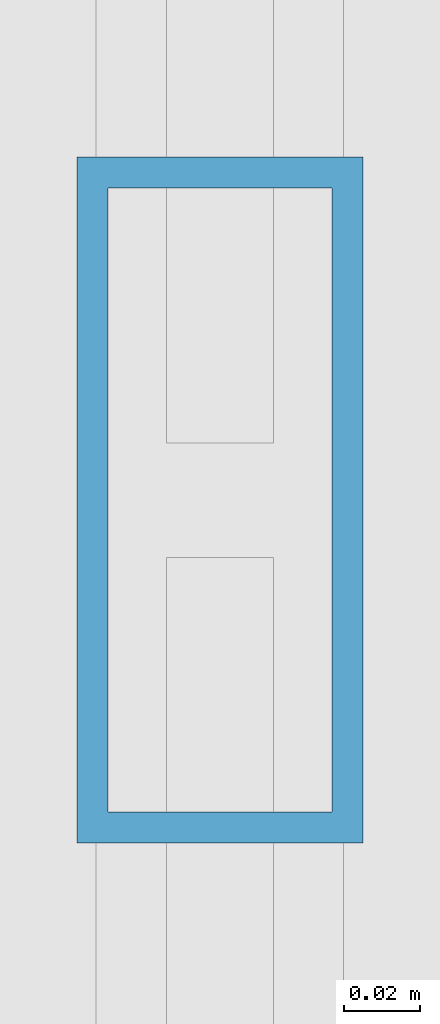
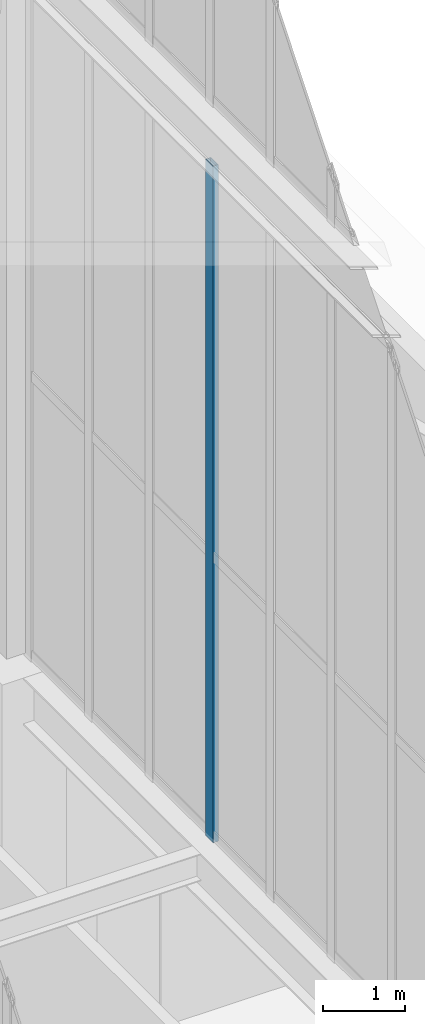
# One storey, part 70 of 135: 1 member, 1 element without a shape of its own.
"""IFC4 building model written with IfcOpenShell, lengths in metres."""

import ifcopenshell
import ifcopenshell.guid

model = None  # the IFC model being written
_history = None  # IfcOwnerHistory: only IFC2X3 demands one
_inside = {}  # id of a spatial element -> (the spatial element, [elements in it])
_under = {}  # id of a project, library or spatial element -> (it, [spatial elements below it])
_declared = {}  # id of a project -> (the project, [libraries it declares])
_typed = {}  # id of a type object -> (the type object, [elements of that type])
_made_of = {}  # id of a material, layer set ... -> (it, [elements and type objects made of it])


def new_model(schema):
    """Start an empty IFC model of exactly this schema.

    Asked for "IFC4X3", IfcOpenShell would pick the latest addendum, in which some entities
    have other attributes; the version numbers below select the first issue.
    IFC2X3 requires an IfcOwnerHistory on every rooted entity: one is made here for all.
    """
    global model, _history
    if schema == "IFC4X3":
        model = ifcopenshell.file(schema_version=(4, 3, 0, 0))
    else:
        model = ifcopenshell.file(schema=schema)
    _inside.clear()
    _under.clear()
    _declared.clear()
    _typed.clear()
    _made_of.clear()
    _history = None
    if model.schema == "IFC2X3":
        org = make("IfcOrganization", Name="unknown")
        user = make(
            "IfcPersonAndOrganization",
            ThePerson=make("IfcPerson", FamilyName="unknown"),
            TheOrganization=org,
        )
        app = make(
            "IfcApplication",
            ApplicationDeveloper=org,
            Version="unknown",
            ApplicationFullName="unknown",
            ApplicationIdentifier="unknown",
        )
        _history = make(
            "IfcOwnerHistory",
            OwningUser=user,
            OwningApplication=app,
            ChangeAction="ADDED",
            CreationDate=0,
        )
    return model


def make(cls, **values):
    """One entity of the class cls with the attributes given. An attribute that is None is left unset."""
    return model.create_entity(
        cls, **{name: value for name, value in values.items() if value is not None}
    )


def rooted(cls, **values):
    """An entity with a GlobalId (a new one), such as an element, a storey or a relation."""
    return make(cls, GlobalId=ifcopenshell.guid.new(), OwnerHistory=_history, **values)


def si_unit(unit_type, name, prefix=None):
    """IfcSIUnit, for example si_unit("LENGTHUNIT", "METRE", prefix="MILLI")."""
    return make("IfcSIUnit", UnitType=unit_type, Prefix=prefix, Name=name)


def assignment(units):
    """IfcUnitAssignment: the units of a project."""
    return None if units is None else make("IfcUnitAssignment", Units=units)


def point(xyz):
    """IfcCartesianPoint."""
    return None if xyz is None else make("IfcCartesianPoint", Coordinates=xyz)


def direction(xyz):
    """IfcDirection."""
    return None if xyz is None else make("IfcDirection", DirectionRatios=xyz)


def frame(location, z_axis=None, x_axis=None):
    """IfcAxis2Placement3D, a coordinate frame: its origin and axes. An axis left out is left unset."""
    return make(
        "IfcAxis2Placement3D",
        Location=point(location),
        Axis=direction(z_axis),
        RefDirection=direction(x_axis),
    )


def frame_2d(location, x_axis=None):
    """IfcAxis2Placement2D, a coordinate frame in the plane: its origin and x axis."""
    return make(
        "IfcAxis2Placement2D", Location=point(location), RefDirection=direction(x_axis)
    )


def origin():
    """The frame at (0, 0, 0) with its axes left unset."""
    return frame((0.0, 0.0, 0.0))


def origin_2d():
    """The frame at (0, 0) in the plane with its x axis left unset."""
    return frame_2d((0.0, 0.0))


def place(relative_to, where):
    """IfcLocalPlacement: puts the frame where relative to a parent placement (None: the world)."""
    return make(
        "IfcLocalPlacement", PlacementRelTo=relative_to, RelativePlacement=where
    )


def context(
    kind, dimensions, precision=None, world=None, true_north=None, identifier=None
):
    """IfcGeometricRepresentationContext, for example the 3D "Model" context."""
    return make(
        "IfcGeometricRepresentationContext",
        ContextIdentifier=identifier,
        ContextType=kind,
        CoordinateSpaceDimension=dimensions,
        Precision=precision,
        WorldCoordinateSystem=world,
        TrueNorth=true_north,
    )


def subcontext(parent, identifier, kind, view, scale=None):
    """IfcGeometricRepresentationSubContext, for example "Body" below "Model"."""
    return make(
        "IfcGeometricRepresentationSubContext",
        ContextIdentifier=identifier,
        ContextType=kind,
        ParentContext=parent,
        TargetScale=scale,
        TargetView=view,
    )


def project(units=None, contexts=None):
    """IfcProject with its units and contexts."""
    return rooted(
        "IfcProject",
        Name="project",
        RepresentationContexts=contexts,
        UnitsInContext=assignment(units),
    )


def spatial(cls, under=None, at=None, **own):
    """A site, building, storey or space (cls), placed at a placement, below another one or the project."""
    s = rooted(cls, ObjectPlacement=at, **own)
    if under is not None:
        _under.setdefault(under.id(), (under, []))[1].append(s)
    return s


def profile(cls, at=None, kind="AREA", **sizes):
    """A parametric profile (cls). Its sizes go by their IFC names, for example OverallWidth=200.0."""
    return make(cls, ProfileType=kind, Position=at, **sizes)


def hollow_rectangle(**sizes):
    """IfcRectangleHollowProfileDef."""
    return profile("IfcRectangleHollowProfileDef", **sizes)


def extrude(swept, where, along, depth):
    """IfcExtrudedAreaSolid: the profile swept, set in the frame where, extruded along a direction by depth."""
    return make(
        "IfcExtrudedAreaSolid",
        SweptArea=swept,
        Position=where,
        ExtrudedDirection=direction(along),
        Depth=depth,
    )


def shape(context_of_items, identifier, shape_type, items):
    """IfcShapeRepresentation: the items that make up one representation, for example the "Body"."""
    return make(
        "IfcShapeRepresentation",
        ContextOfItems=context_of_items,
        RepresentationIdentifier=identifier,
        RepresentationType=shape_type,
        Items=items,
    )


def source(mapping_origin, context_of_items, identifier, shape_type, items):
    """IfcRepresentationMap: a shape defined once, which mapped items show again and again."""
    return make(
        "IfcRepresentationMap",
        MappingOrigin=mapping_origin,
        MappedRepresentation=shape(context_of_items, identifier, shape_type, items),
    )


def transform(
    local_origin,
    x_axis=None,
    y_axis=None,
    z_axis=None,
    scale=None,
    scale2=None,
    scale3=None,
    uniform=True,
):
    """IfcCartesianTransformationOperator3D, or its non-uniform kind. x_axis, y_axis, z_axis: its Axis1, 2, 3."""
    if uniform:
        return make(
            "IfcCartesianTransformationOperator3D",
            Axis1=direction(x_axis),
            Axis2=direction(y_axis),
            LocalOrigin=point(local_origin),
            Scale=scale,
            Axis3=direction(z_axis),
        )
    return make(
        "IfcCartesianTransformationOperator3DnonUniform",
        Axis1=direction(x_axis),
        Axis2=direction(y_axis),
        LocalOrigin=point(local_origin),
        Scale=scale,
        Axis3=direction(z_axis),
        Scale2=scale2,
        Scale3=scale3,
    )


def mapped(mapping_source, mapping_target):
    """IfcMappedItem: shows the shape of a source again, moved by a transform."""
    return make(
        "IfcMappedItem", MappingSource=mapping_source, MappingTarget=mapping_target
    )


def material(Name=None, Category=None):
    """IfcMaterial."""
    return make("IfcMaterial", Name=Name, Category=Category)


def layer(
    of_material, thickness, ventilated=None, Name=None, Category=None, Priority=None
):
    """IfcMaterialLayer: one layer of a wall or slab, of a material (None: an air gap)."""
    return make(
        "IfcMaterialLayer",
        Material=of_material,
        LayerThickness=thickness,
        IsVentilated=ventilated,
        Name=Name,
        Category=Category,
        Priority=Priority,
    )


def layer_set(layers, Name=None):
    """IfcMaterialLayerSet."""
    return make("IfcMaterialLayerSet", MaterialLayers=layers, LayerSetName=Name)


def material_profile(
    of_material, cross_section, Name=None, Category=None, Priority=None
):
    """IfcMaterialProfile: a cross section and its material."""
    return make(
        "IfcMaterialProfile",
        Name=Name,
        Material=of_material,
        Profile=cross_section,
        Priority=Priority,
        Category=Category,
    )


def profile_set(profiles, Name=None, composite=None):
    """IfcMaterialProfileSet."""
    return make(
        "IfcMaterialProfileSet",
        Name=Name,
        MaterialProfiles=profiles,
        CompositeProfile=composite,
    )


def made_of(thing, what):
    """Note that an element or type object is made of a material, layer set ...; save() writes the relation."""
    if what is not None:
        _made_of.setdefault(what.id(), (what, []))[1].append(thing)
    return thing


def type_object(cls, material=None, **own):
    """A type object (cls), such as IfcWallType, which elements share."""
    return made_of(rooted(cls, **own), material)


def element(
    cls,
    number,
    at=None,
    inside=None,
    cuts=None,
    type_object=None,
    material=None,
    context=None,
    identifier="Body",
    shape_type=None,
    held_by="IfcProductDefinitionShape",
    body=None,
    shapes=None,
    **own,
):
    """One element of the class cls, such as IfcWall. Its Tag is "e" and its number.

    at: its placement. inside: the storey or other place that contains it. cuts: it is an
    opening in that element (IfcRelVoidsElement). A single representation is given by context,
    identifier, shape_type and body (its items); several are given by shapes. held_by: the class
    of the entity that holds the representations. save() writes the other relations.
    """
    e = rooted(cls, Tag="e%d" % number, ObjectPlacement=at, **own)
    if body is not None:
        shapes = [shape(context, identifier, shape_type, body)]
    if shapes is not None:
        e.Representation = make(held_by, Representations=shapes)
    if inside is not None:
        _inside.setdefault(inside.id(), (inside, []))[1].append(e)
    if cuts is not None:
        rooted(
            "IfcRelVoidsElement", RelatingBuildingElement=cuts, RelatedOpeningElement=e
        )
    if type_object is not None:
        _typed.setdefault(type_object.id(), (type_object, []))[1].append(e)
    return made_of(e, material)


def aggregate(whole, parts):
    """IfcRelAggregates: a whole, such as a stair, and the parts it consists of."""
    return rooted("IfcRelAggregates", RelatingObject=whole, RelatedObjects=parts)


def save(model, path):
    """Write the relations noted so far, then the file.

    IfcRelAggregates (storeys below a building ...), IfcRelContainedInSpatialStructure (elements
    in a storey), IfcRelDefinesByType, IfcRelAssociatesMaterial and IfcRelDeclares: one each for
    every whole, place, type object, material and project.
    """
    for whole, parts in _under.values():
        aggregate(whole, parts)
    for where, things in _inside.values():
        rooted(
            "IfcRelContainedInSpatialStructure",
            RelatedElements=things,
            RelatingStructure=where,
        )
    for kind, things in _typed.values():
        rooted("IfcRelDefinesByType", RelatedObjects=things, RelatingType=kind)
    for what, things in _made_of.values():
        rooted("IfcRelAssociatesMaterial", RelatedObjects=things, RelatingMaterial=what)
    for by, libraries in _declared.values():
        rooted("IfcRelDeclares", RelatingContext=by, RelatedDefinitions=libraries)
    model.write(path)


model = new_model("IFC4")

# Units and contexts
model_context = context("Model", 3, precision=1e-05, world=origin(), true_north=direction((0.0, 1.0)))
body_context = subcontext(model_context, "Body", "Model", "MODEL_VIEW")
ifc_project = project(units=[si_unit("LENGTHUNIT", "METRE"), si_unit("AREAUNIT", "SQUARE_METRE"), si_unit("VOLUMEUNIT", "CUBIC_METRE"), si_unit("PLANEANGLEUNIT", "RADIAN"), si_unit("MASSUNIT", "GRAM", prefix="KILO")], contexts=[model_context])

# Site, building, storey
site_placement = place(None, origin())
site = spatial("IfcSite", under=ifc_project, at=site_placement, CompositionType="ELEMENT")
building_placement = place(site_placement, origin())
building = spatial("IfcBuilding", under=site, at=building_placement, Name="Giltprow Tower", CompositionType="ELEMENT")
storey_placement = place(building_placement, frame((0.0, 0.0, 352.699951171875)))
storey = spatial("IfcBuildingStorey", under=building, at=storey_placement, Name="L92", CompositionType="ELEMENT", Elevation=352.699951171875)

# Curtain wall, member
ifc_material = material(Name="Anodized bronze", Category="metal")
ifc_layer = layer(ifc_material, 0.179931640625, Name="Anodized bronze")
ifc_layer_set = layer_set([ifc_layer], Name="Anodized bronze")
curtain_wall_type = type_object("IfcCurtainWallType", Name="CW-CROWN-LANTERN", PredefinedType="NOTDEFINED", material=ifc_layer_set)
curtain_wall_placement = place(storey_placement, origin())
curtain_wall = element("IfcCurtainWall", 1, at=curtain_wall_placement, inside=storey, type_object=curtain_wall_type, Name="Crown East Lower Lantern Glazing 2", PredefinedType="NOTDEFINED")
ifc_material_profile = material_profile(ifc_material, hollow_rectangle(XDim=0.074951171875, YDim=0.179931640625, WallThickness=0.008056640625, at=origin_2d()), Name="RHS 180x75x8")
ifc_profile_set = profile_set([ifc_material_profile], Name="Anodized bronze")
member_type = type_object("IfcMemberType", Name="CW-MULLION-180x75", PredefinedType="MULLION", material=ifc_profile_set)
shared_shape = source(origin(), body_context, "Body", "SweptSolid", [
    extrude(hollow_rectangle(XDim=0.074951171875, YDim=0.179931640625, WallThickness=0.008056640625, at=origin_2d()), origin(), (0.0, 0.0, 1.0), 10.030029296875),
])
member_placement = place(storey_placement, frame((50.550048828125, 32.68310546875, 6.35009765625), z_axis=(0.0, 0.0, 1.0), x_axis=(1.0, 0.0, 0.0)))
member = element("IfcMember", 2, at=member_placement, type_object=member_type, Name="Crown East Lower Lantern Glazing 2 Mullion 7", PredefinedType="MULLION", context=body_context, shape_type="MappedRepresentation", body=[
    mapped(shared_shape, transform((0.0, 0.0, 0.0), x_axis=(1.0, 0.0, 0.0), y_axis=(0.0, 1.0, 0.0), z_axis=(0.0, 0.0, 1.0), scale=1.0)),
])
aggregate(curtain_wall, [member])

save(model, "model.ifc")
